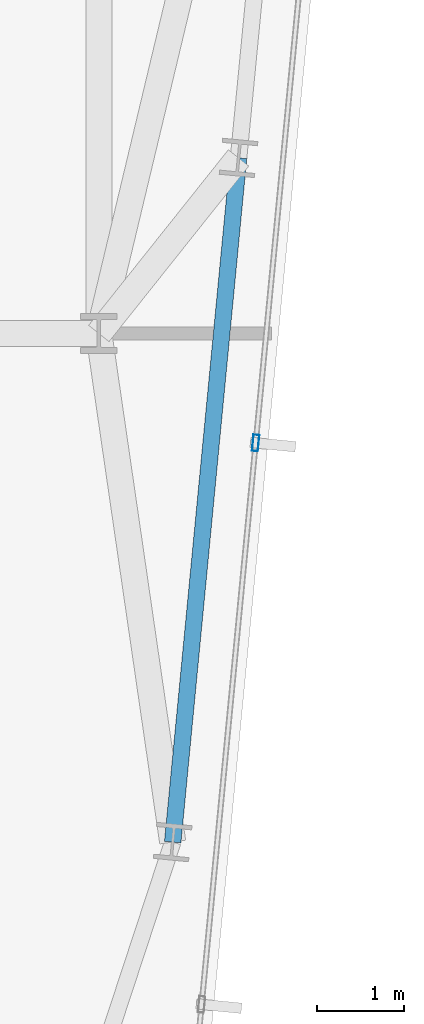
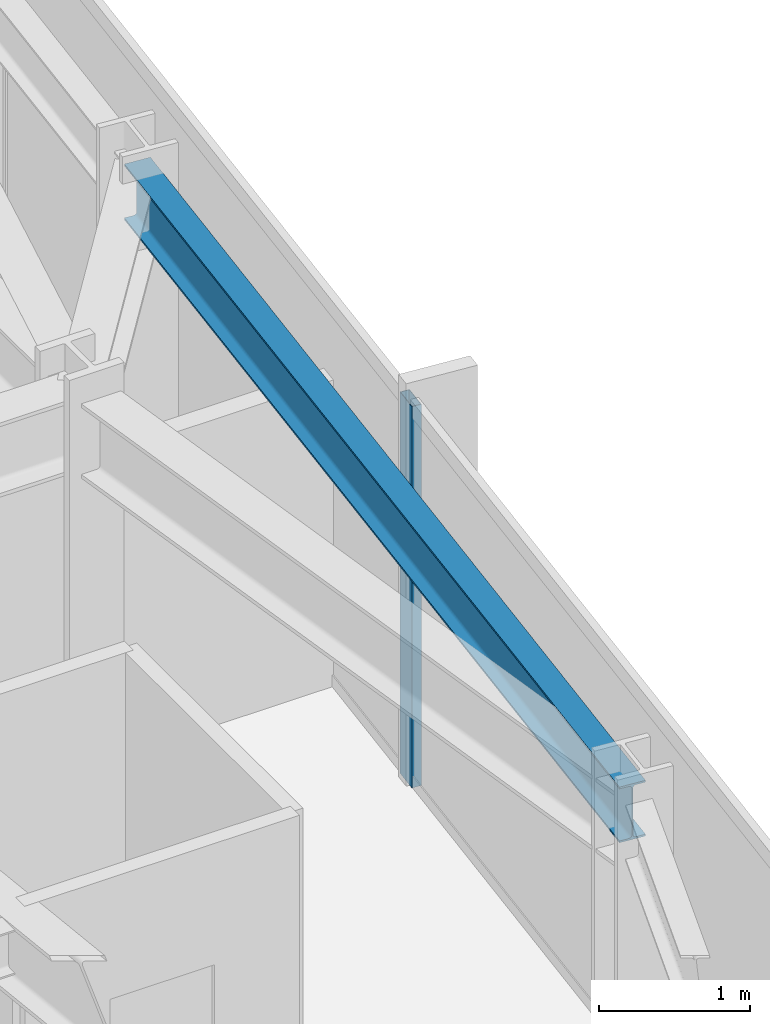
# One storey, part 16 of 38: 1 beam, 1 member, 1 element without a shape of its own.
"""IFC4 building model written with IfcOpenShell, lengths in metres."""

from ifc_helpers import new_model, si_unit, direction, frame, origin, origin_2d, place, context, subcontext, project, spatial, hollow_rectangle, i_section, extrude, material, material_profile, profile_set, type_object, element, aggregate, save


model = new_model("IFC4")

# Units and contexts
model_context = context("Model", 3, precision=1e-05, world=origin(), true_north=direction((0.0, 1.0)))
body_context = subcontext(model_context, "Body", "Model", "MODEL_VIEW")
ifc_project = project(units=[si_unit("LENGTHUNIT", "METRE"), si_unit("AREAUNIT", "SQUARE_METRE"), si_unit("VOLUMEUNIT", "CUBIC_METRE"), si_unit("PLANEANGLEUNIT", "RADIAN"), si_unit("MASSUNIT", "GRAM", prefix="KILO")], contexts=[model_context])

# Site, building, storey
site_placement = place(None, origin())
site = spatial("IfcSite", under=ifc_project, at=site_placement, CompositionType="ELEMENT")
building_placement = place(site_placement, origin())
building = spatial("IfcBuilding", under=site, at=building_placement, Name="Yelkora Congress Tower", CompositionType="ELEMENT")
storey_placement = place(building_placement, frame((0.0, 0.0, 155.60009765625)))
storey = spatial("IfcBuildingStorey", under=building, at=storey_placement, Name="L42", CompositionType="ELEMENT", Elevation=155.60009765625)

# Beam
ifc_material_1 = material(Name="Steel S355J2", Category="steel")
ifc_material_profile_1 = material_profile(ifc_material_1, i_section(OverallWidth=0.18994140625, OverallDepth=0.449951171875, WebThickness=0.009521484375, FlangeThickness=0.0146484375, FilletRadius=0.02099609375, at=origin_2d()), Name="IPE 450")
ifc_profile_set_1 = profile_set([ifc_material_profile_1], Name="Steel S355J2")
beam_type = type_object("IfcBeamType", Name="BM-SPAN-IPE450", PredefinedType="SPANDREL", material=ifc_profile_set_1)
beam_placement = place(storey_placement, frame((58.44921875, 19.353759765625, 2.85498046875), z_axis=(0.095831353931, 0.995397584689, 0.0), x_axis=(-0.995397584689, 0.095831353931, 0.0)))
element("IfcBeam", 1, at=beam_placement, inside=storey, type_object=beam_type, Name="L42 Perimeter Beam 10", PredefinedType="SPANDREL", context=body_context, shape_type="SweptSolid", body=[
    extrude(i_section(OverallWidth=0.18994140625, OverallDepth=0.449951171875, WebThickness=0.009521484375, FlangeThickness=0.0146484375, FilletRadius=0.02099609375, at=origin_2d()), origin(), (0.0, 0.0, 1.0), 7.900146484375),
])

# Curtain wall, member
ifc_material_2 = material(Name="Anodised aluminium and insulated glass", Category="aluminium")
curtain_wall_type = type_object("IfcCurtainWallType", Name="CW-SYS-B3", PredefinedType="NOTDEFINED", material=ifc_material_2)
curtain_wall_placement = place(storey_placement, origin())
curtain_wall = element("IfcCurtainWall", 2, at=curtain_wall_placement, inside=storey, type_object=curtain_wall_type, Name="L42 Unitised Curtain Wall 15", PredefinedType="NOTDEFINED")
ifc_material_3 = material(Name="Anodised aluminium 6063-T6", Category="aluminium")
ifc_material_profile_2 = material_profile(ifc_material_3, hollow_rectangle(XDim=0.070068359375, YDim=0.18994140625, WallThickness=0.00390625, at=origin_2d()), Name="ALU 70x190x4")
ifc_profile_set_2 = profile_set([ifc_material_profile_2], Name="Anodised aluminium 6063-T6")
member_type = type_object("IfcMemberType", Name="MEM-ML-B3", PredefinedType="MULLION", material=ifc_profile_set_2)
member_placement = place(storey_placement, frame((59.4033203125, 23.94140625, 0.0), z_axis=(0.0, 0.0, 1.0), x_axis=(0.995396565076, -0.095841944023, 0.0)))
member = element("IfcMember", 3, at=member_placement, type_object=member_type, Name="CW-B3 mullion 4", PredefinedType="MULLION", context=body_context, shape_type="SweptSolid", body=[
    extrude(hollow_rectangle(XDim=0.070068359375, YDim=0.18994140625, WallThickness=0.00390625, at=origin_2d()), origin(), (0.0, 0.0, 1.0), 3.079833984375),
])
aggregate(curtain_wall, [member])

save(model, "model.ifc")
